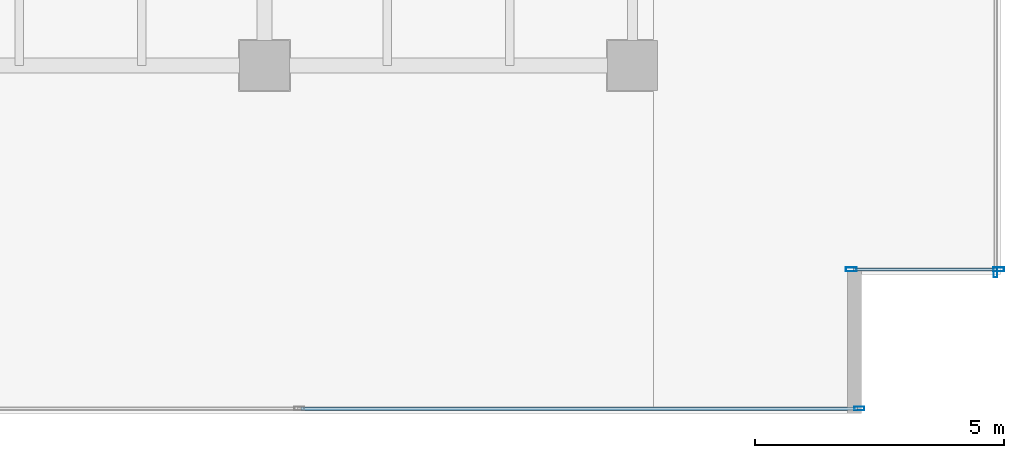
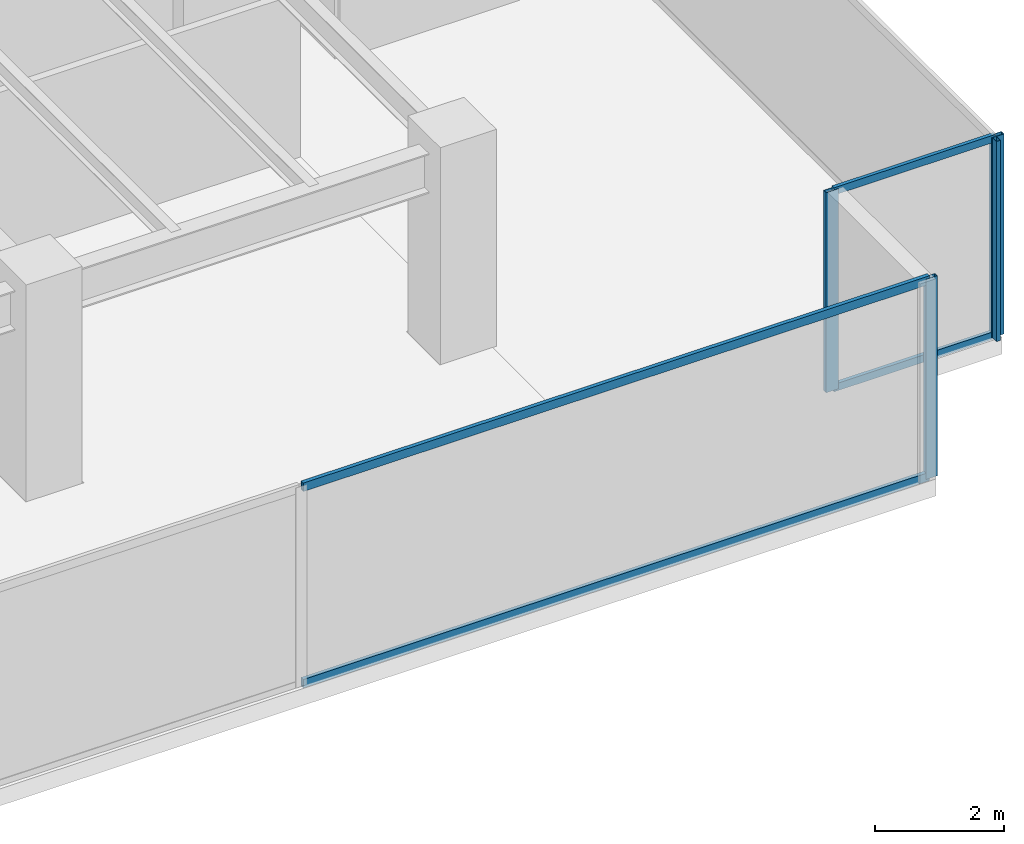
# One storey, part 23 of 37: 8 members, 3 elements without a shape of their own.
"""IFC4 building model written with IfcOpenShell, lengths in metres."""

from ifc_helpers import new_model, si_unit, direction, frame, origin, origin_2d, place, context, subcontext, project, spatial, hollow_rectangle, extrude, source, transform, mapped, material, layer, layer_set, material_profile, profile_set, type_object, type_shapes, element, aggregate, save


model = new_model("IFC4")

# Units and contexts
model_context = context("Model", 3, precision=1e-05, world=origin(), true_north=direction((0.0, 1.0)))
body_context = subcontext(model_context, "Body", "Model", "MODEL_VIEW")
ifc_project = project(units=[si_unit("LENGTHUNIT", "METRE"), si_unit("AREAUNIT", "SQUARE_METRE"), si_unit("VOLUMEUNIT", "CUBIC_METRE"), si_unit("PLANEANGLEUNIT", "RADIAN"), si_unit("MASSUNIT", "GRAM", prefix="KILO")], contexts=[model_context])

# Site, building, storey
site_placement = place(None, origin())
site = spatial("IfcSite", under=ifc_project, at=site_placement, CompositionType="ELEMENT")
building_placement = place(site_placement, origin())
building = spatial("IfcBuilding", under=site, at=building_placement, Name="Haelvirn Gate Laboratories", CompositionType="ELEMENT")
storey_placement = place(building_placement, frame((0.0, 0.0, 78.5)))
storey = spatial("IfcBuildingStorey", under=building, at=storey_placement, Name="L19", CompositionType="ELEMENT", Elevation=78.5)

# Curtain wall, member
ifc_material_1 = material(Name="Anodised bronze unitised aluminium & triple low-E glass", Category="aluminium")
ifc_layer_1 = layer(ifc_material_1, 0.18408203125, Name="CW-SYS-2")
ifc_layer_set_1 = layer_set([ifc_layer_1], Name="Anodised bronze unitised aluminium & triple low-E glass")
curtain_wall_type_1 = type_object("IfcCurtainWallType", Name="CW-SYS-2", PredefinedType="NOTDEFINED", material=ifc_layer_set_1)
curtain_wall_1_placement = place(storey_placement, origin())
curtain_wall_1 = element("IfcCurtainWall", 1, at=curtain_wall_1_placement, inside=storey, type_object=curtain_wall_type_1, Name="L19 Unitised Curtain Wall CW-L19-P0-E04-1", PredefinedType="NOTDEFINED")
ifc_material_2 = material(Name="Extruded aluminium 6063-T6 (anodised bronze)", Category="aluminium")
ifc_material_profile_1 = material_profile(ifc_material_2, hollow_rectangle(XDim=0.074951171875, YDim=0.199951171875, WallThickness=0.0048828125, at=origin_2d()), Name="CWM-200x75x5")
ifc_profile_set_1 = profile_set([ifc_material_profile_1], Name="Extruded aluminium 6063-T6 (anodised bronze)")
member_type_1 = type_object("IfcMemberType", Name="CWM-T200", PredefinedType="MULLION", material=ifc_profile_set_1)
shared_shape_1 = source(origin(), body_context, "Body", "SweptSolid", [
    extrude(hollow_rectangle(XDim=0.074951171875, YDim=0.199951171875, WallThickness=0.0048828125, at=origin_2d()), origin(), (0.0, 0.0, 1.0), 3.780029296875),
])
type_shapes(member_type_1, [shared_shape_1])
member_1_placement = place(storey_placement, frame((71.96240234375, 0.10009765625, 0.0), z_axis=(0.0, 0.0, 1.0), x_axis=(0.0, 1.0, 0.0)))
member_1 = element("IfcMember", 2, at=member_1_placement, type_object=member_type_1, Name="CW2 mullion 3", PredefinedType="MULLION", context=body_context, shape_type="MappedRepresentation", body=[
    mapped(shared_shape_1, transform((0.0, 0.0, 0.0), scale=1.0)),
])

curtain_wall_2_placement = place(storey_placement, origin())
curtain_wall_2 = element("IfcCurtainWall", 3, at=curtain_wall_2_placement, inside=storey, type_object=curtain_wall_type_1, Name="L19 Unitised Curtain Wall CW-L19-P0-E07", PredefinedType="NOTDEFINED")
member_2_placement = place(storey_placement, frame((74.699951171875, 2.83740234375, 0.0), z_axis=(0.0, 0.0, 1.0), x_axis=(-1.0, 0.0, 0.0)))
member_2 = element("IfcMember", 4, at=member_2_placement, type_object=member_type_1, Name="CW2 mullion 1", PredefinedType="MULLION", context=body_context, shape_type="MappedRepresentation", body=[
    mapped(shared_shape_1, transform((0.0, 0.0, 0.0), scale=1.0)),
])
aggregate(curtain_wall_2, [member_2])

# Member
ifc_material_profile_2 = material_profile(ifc_material_2, hollow_rectangle(XDim=0.070068359375, YDim=0.159912109375, WallThickness=0.0048828125, at=origin_2d()), Name="CWT-160x70x5")
ifc_profile_set_2 = profile_set([ifc_material_profile_2], Name="Extruded aluminium 6063-T6 (anodised bronze)")
member_type_2 = type_object("IfcMemberType", Name="CWT-T160", PredefinedType="USERDEFINED", material=ifc_profile_set_2)
shared_shape_2 = source(origin(), body_context, "Body", "SweptSolid", [
    extrude(hollow_rectangle(XDim=0.070068359375, YDim=0.159912109375, WallThickness=0.0048828125, at=origin_2d()), origin(), (0.0, 0.0, 1.0), 11.1875),
])
type_shapes(member_type_2, [shared_shape_2])
member_3_placement = place(storey_placement, frame((60.737548828125, 0.10009765625, 0.034912109375), z_axis=(1.0, 0.0, 0.0), x_axis=(0.0, 1.0, 0.0)))
member_3 = element("IfcMember", 5, at=member_3_placement, type_object=member_type_2, Name="CW2 transom 2.1", ObjectType="TRANSOM", PredefinedType="USERDEFINED", context=body_context, shape_type="MappedRepresentation", body=[
    mapped(shared_shape_2, transform((0.0, 0.0, 0.0), scale=1.0)),
])

member_4_placement = place(storey_placement, frame((60.737548828125, 0.10009765625, 3.7451171875), z_axis=(1.0, 0.0, 0.0), x_axis=(0.0, 1.0, 0.0)))
member_4 = element("IfcMember", 6, at=member_4_placement, type_object=member_type_2, Name="CW2 transom 2.2", ObjectType="TRANSOM", PredefinedType="USERDEFINED", context=body_context, shape_type="MappedRepresentation", body=[
    mapped(shared_shape_2, transform((0.0, 0.0, 0.0), scale=1.0)),
])

aggregate(curtain_wall_1, [member_1, member_3, member_4])

# Curtain wall, members
ifc_layer_2 = layer(ifc_material_1, 0.181884765625, Name="CW-SYS-5")
ifc_layer_set_2 = layer_set([ifc_layer_2], Name="Anodised bronze unitised aluminium & triple low-E glass")
curtain_wall_type_2 = type_object("IfcCurtainWallType", Name="CW-SYS-5", PredefinedType="NOTDEFINED", material=ifc_layer_set_2)
curtain_wall_3_placement = place(storey_placement, origin())
curtain_wall_3 = element("IfcCurtainWall", 7, at=curtain_wall_3_placement, inside=storey, type_object=curtain_wall_type_2, Name="L19 Unitised Curtain Wall CW-L19-P0-E06-1", PredefinedType="NOTDEFINED")
ifc_material_profile_3 = material_profile(ifc_material_2, hollow_rectangle(XDim=0.080078125, YDim=0.219970703125, WallThickness=0.006103515625, at=origin_2d()), Name="CWM-220x80x6")
ifc_profile_set_3 = profile_set([ifc_material_profile_3], Name="Extruded aluminium 6063-T6 (anodised bronze)")
member_type_3 = type_object("IfcMemberType", Name="CWM-T220", PredefinedType="MULLION", material=ifc_profile_set_3)
shared_shape_3 = source(origin(), body_context, "Body", "SweptSolid", [
    extrude(hollow_rectangle(XDim=0.080078125, YDim=0.219970703125, WallThickness=0.006103515625, at=origin_2d()), origin(), (0.0, 0.0, 1.0), 3.780029296875),
])
type_shapes(member_type_3, [shared_shape_3])
member_5_placement = place(storey_placement, frame((71.800048828125, 2.89990234375, 0.0), z_axis=(0.0, 0.0, 1.0), x_axis=(0.0, 1.0, 0.0)))
member_5 = element("IfcMember", 8, at=member_5_placement, type_object=member_type_3, Name="CW5 mullion 1", PredefinedType="MULLION", context=body_context, shape_type="MappedRepresentation", body=[
    mapped(shared_shape_3, transform((0.0, 0.0, 0.0), scale=1.0)),
])
member_6_placement = place(storey_placement, frame((74.760009765625, 2.89990234375, 0.0), z_axis=(0.0, 0.0, 1.0), x_axis=(0.0, 1.0, 0.0)))
member_6 = element("IfcMember", 9, at=member_6_placement, type_object=member_type_3, Name="CW5 mullion 2", PredefinedType="MULLION", context=body_context, shape_type="MappedRepresentation", body=[
    mapped(shared_shape_3, transform((0.0, 0.0, 0.0), scale=1.0)),
])
ifc_material_profile_4 = material_profile(ifc_material_2, hollow_rectangle(XDim=0.06494140625, YDim=0.139892578125, WallThickness=0.00390625, at=origin_2d()), Name="CWT-140x65x4")
ifc_profile_set_4 = profile_set([ifc_material_profile_4], Name="Extruded aluminium 6063-T6 (anodised bronze)")
member_type_4 = type_object("IfcMemberType", Name="CWT-T140", PredefinedType="USERDEFINED", material=ifc_profile_set_4)
shared_shape_4 = source(origin(), body_context, "Body", "SweptSolid", [
    extrude(hollow_rectangle(XDim=0.06494140625, YDim=0.139892578125, WallThickness=0.00390625, at=origin_2d()), origin(), (0.0, 0.0, 1.0), 2.8798828125),
])
type_shapes(member_type_4, [shared_shape_4])
member_7_placement = place(storey_placement, frame((71.840087890625, 2.89990234375, 0.032470703125), z_axis=(1.0, 0.0, 0.0), x_axis=(0.0, 1.0, 0.0)))
member_7 = element("IfcMember", 10, at=member_7_placement, type_object=member_type_4, Name="CW5 transom 1.1", ObjectType="TRANSOM", PredefinedType="USERDEFINED", context=body_context, shape_type="MappedRepresentation", body=[
    mapped(shared_shape_4, transform((0.0, 0.0, 0.0), scale=1.0)),
])
member_8_placement = place(storey_placement, frame((71.840087890625, 2.89990234375, 3.74755859375), z_axis=(1.0, 0.0, 0.0), x_axis=(0.0, 1.0, 0.0)))
member_8 = element("IfcMember", 11, at=member_8_placement, type_object=member_type_4, Name="CW5 transom 1.2", ObjectType="TRANSOM", PredefinedType="USERDEFINED", context=body_context, shape_type="MappedRepresentation", body=[
    mapped(shared_shape_4, transform((0.0, 0.0, 0.0), scale=1.0)),
])
aggregate(curtain_wall_3, [member_5, member_6, member_7, member_8])

save(model, "model.ifc")
